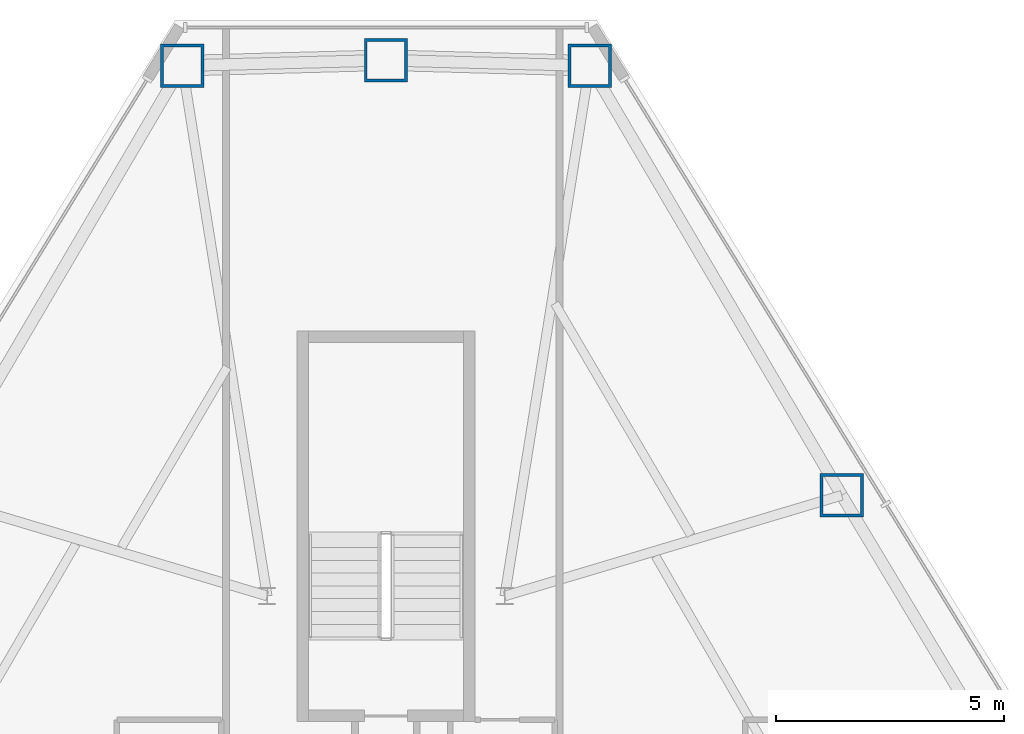
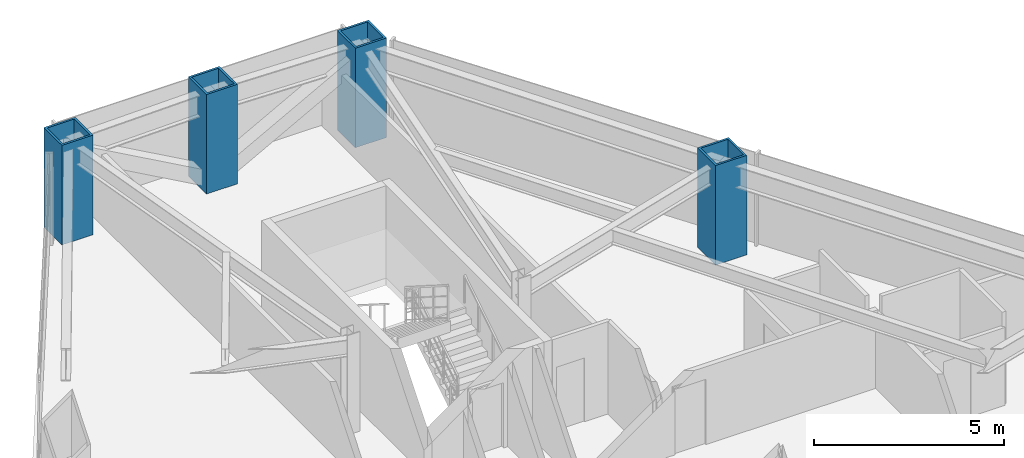
# One storey, part 3 of 13: 4 columns.
"""IFC4 building model written with IfcOpenShell, lengths in metres."""

from ifc_helpers import new_model, si_unit, direction, frame, origin, origin_2d, place, context, subcontext, project, spatial, hollow_rectangle, extrude, material, material_profile, profile_set, type_object, element, save


model = new_model("IFC4")

# Units and contexts
model_context = context("Model", 3, precision=1e-05, world=origin(), true_north=direction((0.0, 1.0)))
body_context = subcontext(model_context, "Body", "Model", "MODEL_VIEW")
ifc_project = project(units=[si_unit("LENGTHUNIT", "METRE"), si_unit("AREAUNIT", "SQUARE_METRE"), si_unit("VOLUMEUNIT", "CUBIC_METRE"), si_unit("PLANEANGLEUNIT", "RADIAN"), si_unit("MASSUNIT", "GRAM", prefix="KILO")], contexts=[model_context])

# Site, building, storey
site_placement = place(None, origin())
site = spatial("IfcSite", under=ifc_project, at=site_placement, CompositionType="ELEMENT")
building_placement = place(site_placement, origin())
building = spatial("IfcBuilding", under=site, at=building_placement, Name="Varakhsha Concourse Tower", CompositionType="ELEMENT")
storey_placement = place(building_placement, frame((0.0, 0.0, 102.199951171875)))
storey = spatial("IfcBuildingStorey", under=building, at=storey_placement, Name="L29", CompositionType="ELEMENT", Elevation=102.199951171875)

# Columns
ifc_material = material(Name="Structural Steel ASTM A572 Grade 50", Category="steel")
ifc_material_profile = material_profile(ifc_material, hollow_rectangle(XDim=0.949951171875, YDim=0.949951171875, WallThickness=0.06494140625, at=origin_2d()), Name="BOX 950x950x65")
ifc_profile_set = profile_set([ifc_material_profile], Name="Structural Steel ASTM A572 Grade 50")
column_type = type_object("IfcColumnType", Name="CL-TUBE-950", PredefinedType="COLUMN", material=ifc_profile_set)
for number, where, z_axis, x_axis, name in (
    (1, (44.45849609375, 52.807861328125, 0.0), (0.0, 0.0, 1.0), (1.0, 0.0, 0.0), "L29 Framed-Tube Column TC01"),
    (2, (40.0, 52.927734375, 0.0), (0.0, 0.0, 1.0), (1.0, 0.0, 0.0), "L29 Framed-Tube Column TC02"),
    (3, (35.54150390625, 52.807861328125, 0.0), (0.0, 0.0, 1.0), (1.0, 0.0, 0.0), "L29 Framed-Tube Column TC03"),
    (4, (49.9765625, 43.40380859375, 0.0), (0.0, 0.0, 1.0), (1.0, 0.0, 0.0), "L29 Framed-Tube Column TC18"),
):
    element("IfcColumn", number, at=place(storey_placement, frame(where, z_axis=z_axis, x_axis=x_axis)), inside=storey, type_object=column_type, Name=name, PredefinedType="COLUMN", context=body_context, shape_type="SweptSolid", body=[
        extrude(hollow_rectangle(XDim=0.949951171875, YDim=0.949951171875, WallThickness=0.06494140625, at=origin_2d()), origin(), (0.0, 0.0, 1.0), 3.199951171875),
    ])

save(model, "model.ifc")
